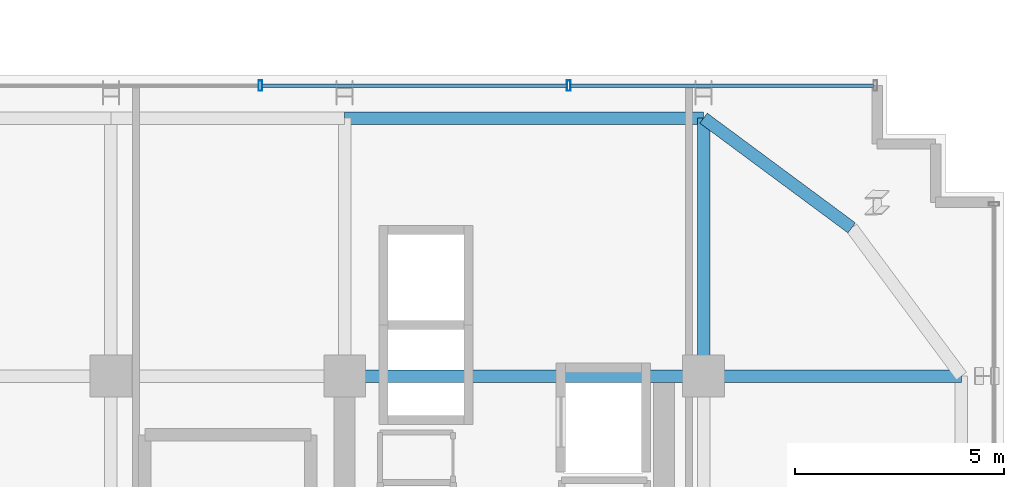
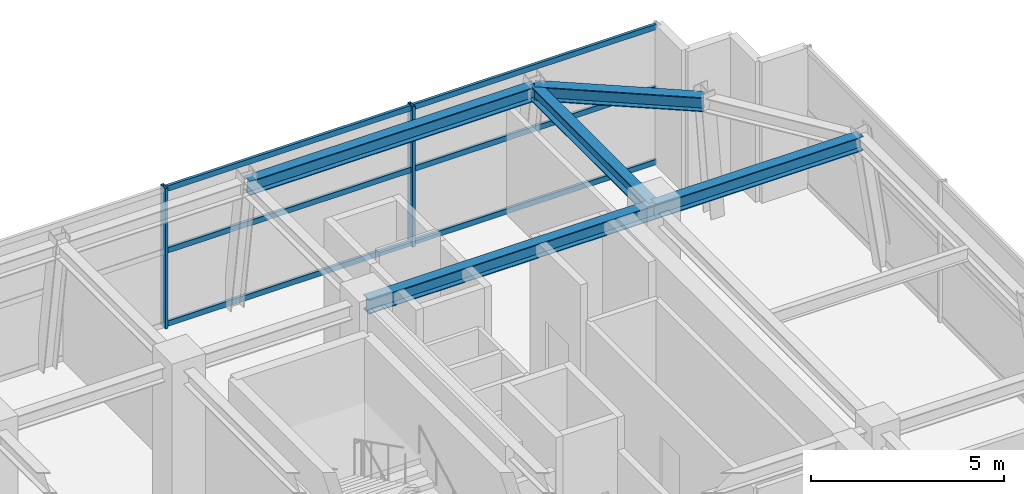
# One storey, part 18 of 28: 8 members, 5 beams, 1 element without a shape of its own.
"""IFC4 building model written with IfcOpenShell, lengths in metres."""

from ifc_helpers import new_model, si_unit, direction, frame, origin, origin_2d, place, context, subcontext, project, spatial, hollow_rectangle, i_section, extrude, source, transform, mapped, material, material_profile, profile_set, type_object, element, aggregate, save


model = new_model("IFC4")

# Units and contexts
model_context = context("Model", 3, precision=1e-05, world=origin(), true_north=direction((0.0, 1.0)))
body_context = subcontext(model_context, "Body", "Model", "MODEL_VIEW")
ifc_project = project(units=[si_unit("LENGTHUNIT", "METRE"), si_unit("AREAUNIT", "SQUARE_METRE"), si_unit("VOLUMEUNIT", "CUBIC_METRE"), si_unit("PLANEANGLEUNIT", "RADIAN"), si_unit("MASSUNIT", "GRAM", prefix="KILO")], contexts=[model_context])

# Site, building, storey
site_placement = place(None, origin())
site = spatial("IfcSite", under=ifc_project, at=site_placement, CompositionType="ELEMENT")
building_placement = place(site_placement, origin())
building = spatial("IfcBuilding", under=site, at=building_placement, Name="Nahalor Promenade Grand Hotel", CompositionType="ELEMENT")
storey_placement = place(building_placement, frame((0.0, 0.0, 256.699951171875)))
storey = spatial("IfcBuildingStorey", under=building, at=storey_placement, Name="L66", CompositionType="ELEMENT", Elevation=256.699951171875)

# Beams
ifc_material_1 = material(Name="Steel S355JR", Category="steel")
ifc_material_profile_1 = material_profile(ifc_material_1, i_section(OverallWidth=0.3, OverallDepth=0.45, WebThickness=0.014, FlangeThickness=0.026, at=origin_2d()), Name="HEB 450")
ifc_profile_set_1 = profile_set([ifc_material_profile_1], Name="Steel S355JR")
beam_type_1 = type_object("IfcBeamType", Name="Beam-Spandrel-HEB450", PredefinedType="SPANDREL", material=ifc_profile_set_1)
shared_shape_1 = source(origin(), body_context, "Body", "SweptSolid", [
    extrude(i_section(OverallWidth=0.3, OverallDepth=0.45, WebThickness=0.014, FlangeThickness=0.026, at=origin_2d()), origin(), (0.0, 0.0, 1.0), 8.60009765625),
])
beam_1_placement = place(storey_placement, frame((8.39990234375, 23.179931640625, 4.215087890625), z_axis=(1.0, 0.0, 0.0), x_axis=(0.0, 1.0, 0.0)))
element("IfcBeam", 1, at=beam_1_placement, inside=storey, type_object=beam_type_1, Name="BM-L66-SP-N-4", PredefinedType="SPANDREL", context=body_context, shape_type="MappedRepresentation", body=[
    mapped(shared_shape_1, transform((0.0, 0.0, 0.0), scale=1.0)),
])
ifc_material_profile_2 = material_profile(ifc_material_1, i_section(OverallWidth=0.3, OverallDepth=0.45, WebThickness=0.014, FlangeThickness=0.026, at=origin_2d()), Name="HEB 450")
ifc_profile_set_2 = profile_set([ifc_material_profile_2], Name="Steel S355JR")
beam_type_2 = type_object("IfcBeamType", Name="Beam-Girder-HEB450", PredefinedType="BEAM", material=ifc_profile_set_2)
shared_shape_2 = source(origin(), body_context, "Body", "SweptSolid", [
    extrude(i_section(OverallWidth=0.3, OverallDepth=0.45, WebThickness=0.014, FlangeThickness=0.026, at=origin_2d()), origin(), (0.0, 0.0, 1.0), 8.60009765625),
])
beam_2_placement = place(storey_placement, frame((8.39990234375, 17.0, 4.215087890625), z_axis=(1.0, 0.0, 0.0), x_axis=(0.0, 1.0, 0.0)))
element("IfcBeam", 2, at=beam_2_placement, inside=storey, type_object=beam_type_2, Name="BM-L66-GX-3-5", PredefinedType="BEAM", context=body_context, shape_type="MappedRepresentation", body=[
    mapped(shared_shape_2, transform((0.0, 0.0, 0.0), scale=1.0)),
])
shared_shape_3 = source(origin(), body_context, "Body", "SweptSolid", [
    extrude(i_section(OverallWidth=0.3, OverallDepth=0.45, WebThickness=0.014, FlangeThickness=0.026, at=origin_2d()), origin(), (0.0, 0.0, 1.0), 6.179931640625),
])
for number, where, z_axis, x_axis, name in (
    (3, (17.0, 17.0, 4.215087890625), (1.0, 0.0, 0.0), (0.0, 1.0, 0.0), "BM-L66-GX-3-6"),
    (4, (17.0, 17.0, 4.215087890625), (0.0, 1.0, 0.0), (-1.0, 0.0, 0.0), "BM-L66-GY-5-4"),
):
    element("IfcBeam", number, at=place(storey_placement, frame(where, z_axis=z_axis, x_axis=x_axis)), inside=storey, type_object=beam_type_2, Name=name, PredefinedType="BEAM", context=body_context, shape_type="MappedRepresentation", body=[
        mapped(shared_shape_3, transform((0.0, 0.0, 0.0), scale=1.0)),
    ])
shared_shape_4 = source(origin(), body_context, "Body", "SweptSolid", [
    extrude(i_section(OverallWidth=0.3, OverallDepth=0.45, WebThickness=0.014, FlangeThickness=0.026, at=origin_2d()), origin(), (0.0, 0.0, 1.0), 4.41796875),
])
beam_3_placement = place(storey_placement, frame((17.0, 23.179931640625, 4.215087890625), z_axis=(0.803533698711, -0.595259267073, 0.0), x_axis=(0.595259267073, 0.803533698711, 0.0)))
element("IfcBeam", 5, at=beam_3_placement, inside=storey, type_object=beam_type_1, Name="BM-L66-SPC-NE-1", PredefinedType="SPANDREL", context=body_context, shape_type="MappedRepresentation", body=[
    mapped(shared_shape_4, transform((0.0, 0.0, 0.0), scale=1.0)),
])

# Curtain wall, members
ifc_material_2 = material(Name="Anodised Bronze Aluminium EN AW-6063 T6", Category="aluminium")
curtain_wall_type = type_object("IfcCurtainWallType", Name="CW5 Sky-Lobby & Observation Panoramic Curtain Wall", PredefinedType="USERDEFINED", material=ifc_material_2)
curtain_wall_placement = place(storey_placement, origin())
curtain_wall = element("IfcCurtainWall", 6, at=curtain_wall_placement, inside=storey, type_object=curtain_wall_type, Name="L66 Curtain Wall CW-L66-N-3", ObjectType="UNITISED_CURTAIN_WALL", PredefinedType="USERDEFINED")
ifc_material_profile_3 = material_profile(ifc_material_2, hollow_rectangle(XDim=0.085, YDim=0.25, WallThickness=0.006, at=origin_2d()), Name="CWM 85x250x6")
ifc_profile_set_3 = profile_set([ifc_material_profile_3], Name="Anodised Bronze Aluminium EN AW-6063 T6")
member_type_1 = type_object("IfcMemberType", Name="CWM5 Panoramic Deep Mullion 85x250", PredefinedType="MULLION", material=ifc_profile_set_3)
shared_shape_5 = source(origin(), body_context, "Body", "SweptSolid", [
    extrude(hollow_rectangle(XDim=0.085, YDim=0.25, WallThickness=0.006, at=origin_2d()), origin(), (0.0, 0.0, 1.0), 4.43994140625),
])
member_1_placement = place(storey_placement, frame((6.3798828125, 23.9599609375, 0.0), z_axis=(0.0, 0.0, 1.0), x_axis=(1.0, 0.0, 0.0)))
member_1 = element("IfcMember", 7, at=member_1_placement, type_object=member_type_1, Name="CW-L66-N-3 Mullion 2", PredefinedType="MULLION", context=body_context, shape_type="MappedRepresentation", body=[
    mapped(shared_shape_5, transform((0.0, 0.0, 0.0), scale=1.0)),
])
member_2_placement = place(storey_placement, frame((13.77001953125, 23.9599609375, 0.0), z_axis=(0.0, 0.0, 1.0), x_axis=(1.0, 0.0, 0.0)))
member_2 = element("IfcMember", 8, at=member_2_placement, type_object=member_type_1, Name="CW-L66-N-3 Mullion 3", PredefinedType="MULLION", context=body_context, shape_type="MappedRepresentation", body=[
    mapped(shared_shape_5, transform((0.0, 0.0, 0.0), scale=1.0)),
])
ifc_material_profile_4 = material_profile(ifc_material_2, hollow_rectangle(XDim=0.085, YDim=0.17, WallThickness=0.005, at=origin_2d()), Name="CWT 85x170x5")
ifc_profile_set_4 = profile_set([ifc_material_profile_4], Name="Anodised Bronze Aluminium EN AW-6063 T6")
member_type_2 = type_object("IfcMemberType", Name="CWT5 Panoramic Transom 85x170", PredefinedType="USERDEFINED", material=ifc_profile_set_4)
shared_shape_6 = source(origin(), body_context, "Body", "SweptSolid", [
    extrude(hollow_rectangle(XDim=0.085, YDim=0.17, WallThickness=0.005, at=origin_2d()), origin(), (0.0, 0.0, 1.0), 7.262451171875),
])
member_3_placement = place(storey_placement, frame((13.8125, 23.9599609375, 0.0849609375), z_axis=(1.0, 0.0, 0.0), x_axis=(0.0, 1.0, 0.0)))
member_3 = element("IfcMember", 9, at=member_3_placement, type_object=member_type_2, Name="CW-L66-N-3 Transom 3-0", ObjectType="TRANSOM", PredefinedType="USERDEFINED", context=body_context, shape_type="MappedRepresentation", body=[
    mapped(shared_shape_6, transform((0.0, 0.0, 0.0), scale=1.0)),
])
member_4_placement = place(storey_placement, frame((13.8125, 23.9599609375, 2.400146484375), z_axis=(1.0, 0.0, 0.0), x_axis=(0.0, 1.0, 0.0)))
member_4 = element("IfcMember", 10, at=member_4_placement, type_object=member_type_2, Name="CW-L66-N-3 Transom 3-1", ObjectType="TRANSOM", PredefinedType="USERDEFINED", context=body_context, shape_type="MappedRepresentation", body=[
    mapped(shared_shape_6, transform((0.0, 0.0, 0.0), scale=1.0)),
])
member_5_placement = place(storey_placement, frame((13.8125, 23.9599609375, 4.35498046875), z_axis=(1.0, 0.0, 0.0), x_axis=(0.0, 1.0, 0.0)))
member_5 = element("IfcMember", 11, at=member_5_placement, type_object=member_type_2, Name="CW-L66-N-3 Transom 3-2", ObjectType="TRANSOM", PredefinedType="USERDEFINED", context=body_context, shape_type="MappedRepresentation", body=[
    mapped(shared_shape_6, transform((0.0, 0.0, 0.0), scale=1.0)),
])
shared_shape_7 = source(origin(), body_context, "Body", "SweptSolid", [
    extrude(hollow_rectangle(XDim=0.085, YDim=0.17, WallThickness=0.005, at=origin_2d()), origin(), (0.0, 0.0, 1.0), 7.304931640625),
])
member_6_placement = place(storey_placement, frame((6.422607421875, 23.9599609375, 0.0849609375), z_axis=(1.0, 0.0, 0.0), x_axis=(0.0, 1.0, 0.0)))
member_6 = element("IfcMember", 12, at=member_6_placement, type_object=member_type_2, Name="CW-L66-N-3 Transom 2-0", ObjectType="TRANSOM", PredefinedType="USERDEFINED", context=body_context, shape_type="MappedRepresentation", body=[
    mapped(shared_shape_7, transform((0.0, 0.0, 0.0), scale=1.0)),
])
member_7_placement = place(storey_placement, frame((6.422607421875, 23.9599609375, 2.400146484375), z_axis=(1.0, 0.0, 0.0), x_axis=(0.0, 1.0, 0.0)))
member_7 = element("IfcMember", 13, at=member_7_placement, type_object=member_type_2, Name="CW-L66-N-3 Transom 2-1", ObjectType="TRANSOM", PredefinedType="USERDEFINED", context=body_context, shape_type="MappedRepresentation", body=[
    mapped(shared_shape_7, transform((0.0, 0.0, 0.0), scale=1.0)),
])
member_8_placement = place(storey_placement, frame((6.422607421875, 23.9599609375, 4.35498046875), z_axis=(1.0, 0.0, 0.0), x_axis=(0.0, 1.0, 0.0)))
member_8 = element("IfcMember", 14, at=member_8_placement, type_object=member_type_2, Name="CW-L66-N-3 Transom 2-2", ObjectType="TRANSOM", PredefinedType="USERDEFINED", context=body_context, shape_type="MappedRepresentation", body=[
    mapped(shared_shape_7, transform((0.0, 0.0, 0.0), scale=1.0)),
])
aggregate(curtain_wall, [member_1, member_2, member_6, member_7, member_8, member_3, member_4, member_5])

save(model, "model.ifc")
